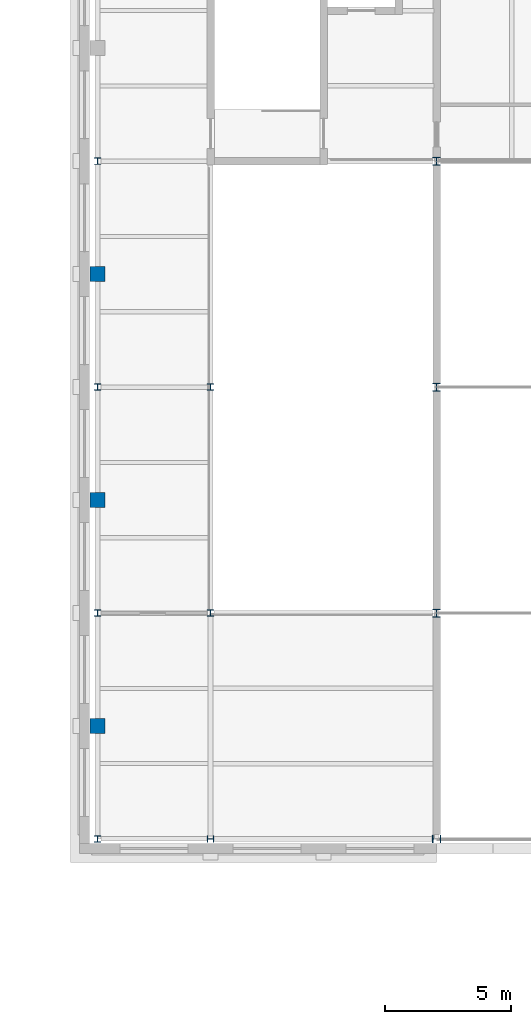
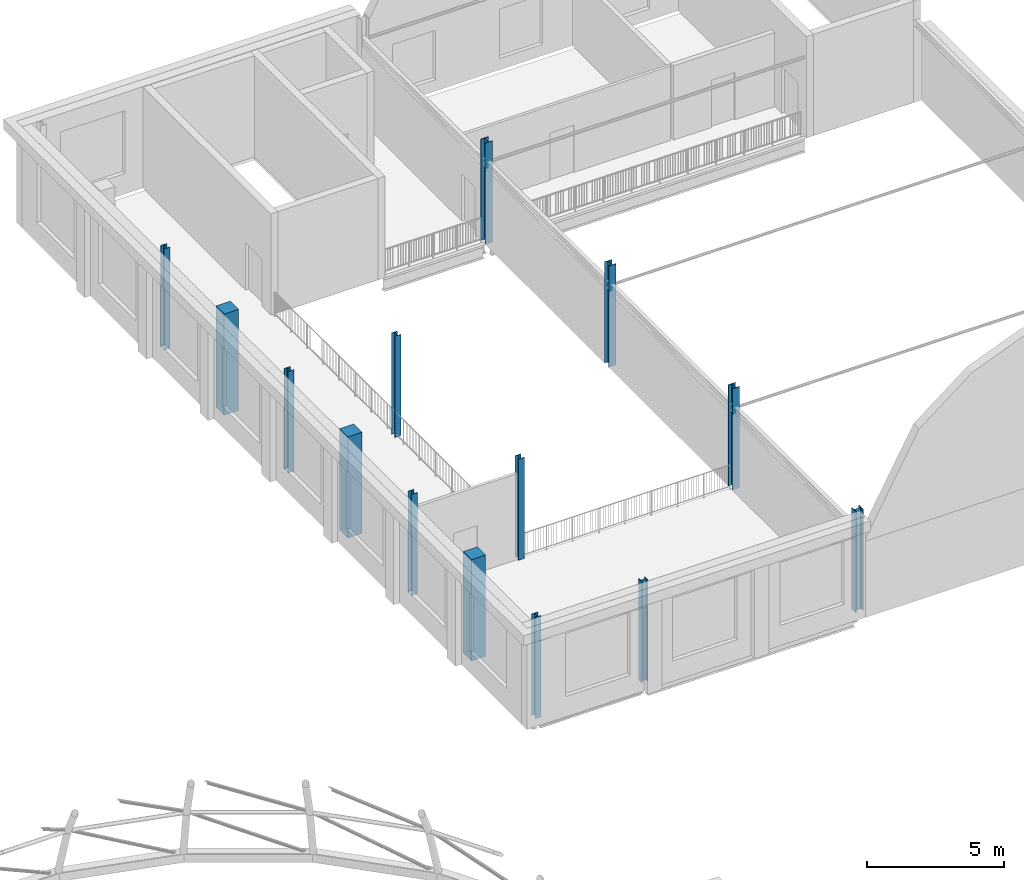
# One storey, part 3 of 59: 14 columns.
"""IFC4 building model written with IfcOpenShell, lengths in metres."""

from ifc_helpers import new_model, si_unit, direction, frame, origin, origin_2d, place, context, subcontext, project, spatial, rectangle, i_section, extrude, material, material_profile, profile_set, type_object, element, save


model = new_model("IFC4")

# Units and contexts
model_context = context("Model", 3, precision=1e-05, world=origin(), true_north=direction((0.0, 1.0)))
body_context = subcontext(model_context, "Body", "Model", "MODEL_VIEW")
ifc_project = project(units=[si_unit("LENGTHUNIT", "METRE"), si_unit("AREAUNIT", "SQUARE_METRE"), si_unit("VOLUMEUNIT", "CUBIC_METRE"), si_unit("PLANEANGLEUNIT", "RADIAN"), si_unit("MASSUNIT", "GRAM", prefix="KILO")], contexts=[model_context])

# Site, building, storey
site_placement = place(None, origin())
site = spatial("IfcSite", under=ifc_project, at=site_placement, CompositionType="ELEMENT")
building_placement = place(site_placement, origin())
building = spatial("IfcBuilding", under=site, at=building_placement, Name="Hortulan Conservatory and Botanical Research Centre", CompositionType="ELEMENT")
storey_placement = place(building_placement, frame((0.0, 0.0, 10.5)))
storey = spatial("IfcBuildingStorey", under=building, at=storey_placement, Name="L02", CompositionType="ELEMENT", Elevation=10.5)

# Columns
ifc_material_1 = material(Name="Steel Grade 300PLUS (AS/NZS 3679.1, 280 MPa minimum yield)", Category="steel")
ifc_material_profile_1 = material_profile(ifc_material_1, i_section(OverallWidth=0.256103515625, OverallDepth=0.260009765625, WebThickness=0.010498046875, FlangeThickness=0.017333984375, FilletRadius=0.013916015625, at=origin_2d()), Name="250UC89.5")
ifc_profile_set_1 = profile_set([ifc_material_profile_1], Name="Steel Grade 300PLUS (AS/NZS 3679.1, 280 MPa minimum yield)")
column_type_1 = type_object("IfcColumnType", Name="Auditorium Column 250UC89.5", PredefinedType="COLUMN", material=ifc_profile_set_1)
for number, where, z_axis, x_axis, name in (
    (1, (76.5, 36.0, 0.0), (0.0, 0.0, 1.0), (1.0, 0.0, 0.0), "250UC89.5 column"),
    (2, (76.5, 45.0, 0.0), (0.0, 0.0, 1.0), (1.0, 0.0, 0.0), "250UC89.5 column"),
    (3, (76.5, 54.0, 0.0), (0.0, 0.0, 1.0), (1.0, 0.0, 0.0), "250UC89.5 column"),
    (4, (76.5, 63.0, 0.0), (0.0, 0.0, 1.0), (1.0, 0.0, 0.0), "250UC89.5 column"),
    (5, (81.0, 36.0, 0.0), (0.0, 0.0, 1.0), (0.0, 1.0, 0.0), "250UC89.5 column"),
    (6, (81.0, 45.0, 0.0), (0.0, 0.0, 1.0), (1.0, 0.0, 0.0), "250UC89.5 column"),
    (7, (81.0, 54.0, 0.0), (0.0, 0.0, 1.0), (1.0, 0.0, 0.0), "250UC89.5 column"),
):
    element("IfcColumn", number, at=place(storey_placement, frame(where, z_axis=z_axis, x_axis=x_axis)), inside=storey, type_object=column_type_1, Name=name, PredefinedType="COLUMN", context=body_context, shape_type="SweptSolid", body=[
        extrude(i_section(OverallWidth=0.256103515625, OverallDepth=0.260009765625, WebThickness=0.010498046875, FlangeThickness=0.017333984375, FilletRadius=0.013916015625, at=origin_2d()), origin(), (0.0, 0.0, 1.0), 4.5),
    ])
ifc_material_profile_2 = material_profile(ifc_material_1, i_section(OverallWidth=0.30908203125, OverallDepth=0.321044921875, WebThickness=0.013916015625, FlangeThickness=0.021728515625, FilletRadius=0.0166015625, at=origin_2d()), Name="310UC137")
ifc_profile_set_2 = profile_set([ifc_material_profile_2], Name="Steel Grade 300PLUS (AS/NZS 3679.1, 280 MPa minimum yield)")
column_type_2 = type_object("IfcColumnType", Name="Auditorium Column 310UC137", PredefinedType="COLUMN", material=ifc_profile_set_2)
for number, where, z_axis, x_axis, name in (
    (8, (90.0, 36.0, 0.0), (0.0, 0.0, 1.0), (0.0, 1.0, 0.0), "310UC137 column"),
    (9, (90.0, 45.0, 0.0), (0.0, 0.0, 1.0), (1.0, 0.0, 0.0), "310UC137 column"),
    (10, (90.0, 54.0, 0.0), (0.0, 0.0, 1.0), (1.0, 0.0, 0.0), "310UC137 column"),
    (11, (90.0, 63.0, 0.0), (0.0, 0.0, 1.0), (1.0, 0.0, 0.0), "310UC137 column"),
):
    element("IfcColumn", number, at=place(storey_placement, frame(where, z_axis=z_axis, x_axis=x_axis)), inside=storey, type_object=column_type_2, Name=name, PredefinedType="COLUMN", context=body_context, shape_type="SweptSolid", body=[
        extrude(i_section(OverallWidth=0.30908203125, OverallDepth=0.321044921875, WebThickness=0.013916015625, FlangeThickness=0.021728515625, FilletRadius=0.0166015625, at=origin_2d()), origin(), (0.0, 0.0, 1.0), 4.5),
    ])
ifc_material_2 = material(Name="Sandstone masonry (25 MPa, AS 3700)", Category="masonry")
ifc_material_profile_3 = material_profile(ifc_material_2, rectangle(XDim=0.60009765625, YDim=0.60009765625, at=origin_2d()), Name="Square pier 600")
ifc_profile_set_3 = profile_set([ifc_material_profile_3], Name="Sandstone masonry (25 MPa, AS 3700)")
column_type_3 = type_object("IfcColumnType", Name="Sandstone Arcade Pier 600x600", PredefinedType="COLUMN", material=ifc_profile_set_3)
for number, where, z_axis, x_axis, name in (
    (12, (76.5, 40.5, 0.0), (0.0, 0.0, 1.0), (1.0, 0.0, 0.0), "Sandstone arcade pier P-76.5-40.5 L02"),
    (13, (76.5, 49.5, 0.0), (0.0, 0.0, 1.0), (1.0, 0.0, 0.0), "Sandstone arcade pier P-76.5-49.5 L02"),
    (14, (76.5, 58.5, 0.0), (0.0, 0.0, 1.0), (1.0, 0.0, 0.0), "Sandstone arcade pier P-76.5-58.5 L02"),
):
    element("IfcColumn", number, at=place(storey_placement, frame(where, z_axis=z_axis, x_axis=x_axis)), inside=storey, type_object=column_type_3, Name=name, PredefinedType="COLUMN", context=body_context, shape_type="SweptSolid", body=[
        extrude(rectangle(XDim=0.60009765625, YDim=0.60009765625, at=origin_2d()), origin(), (0.0, 0.0, 1.0), 4.5),
    ])

save(model, "model.ifc")
